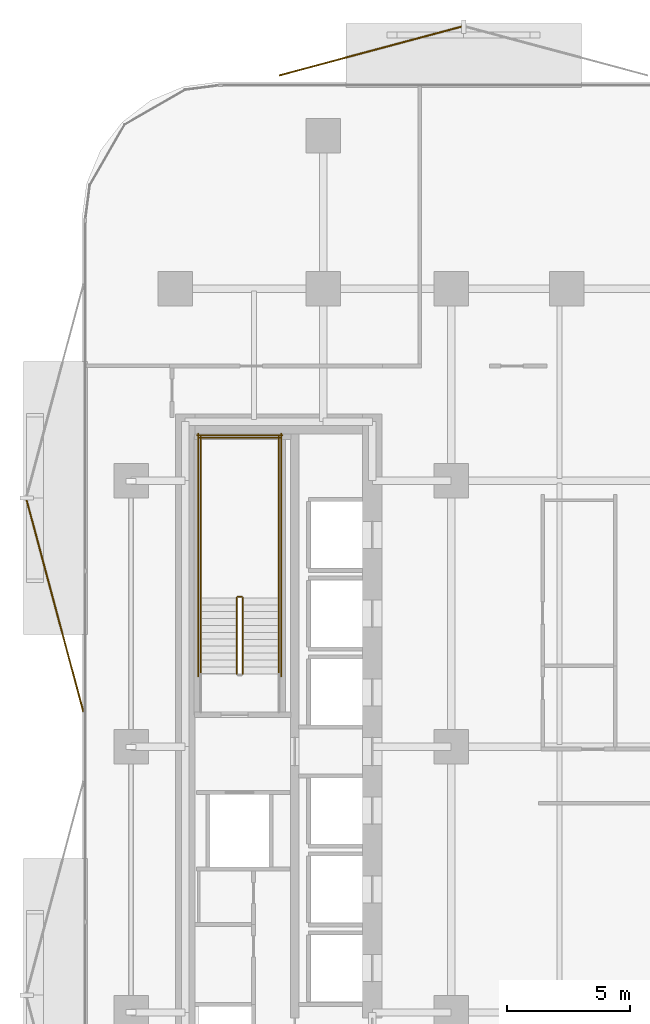
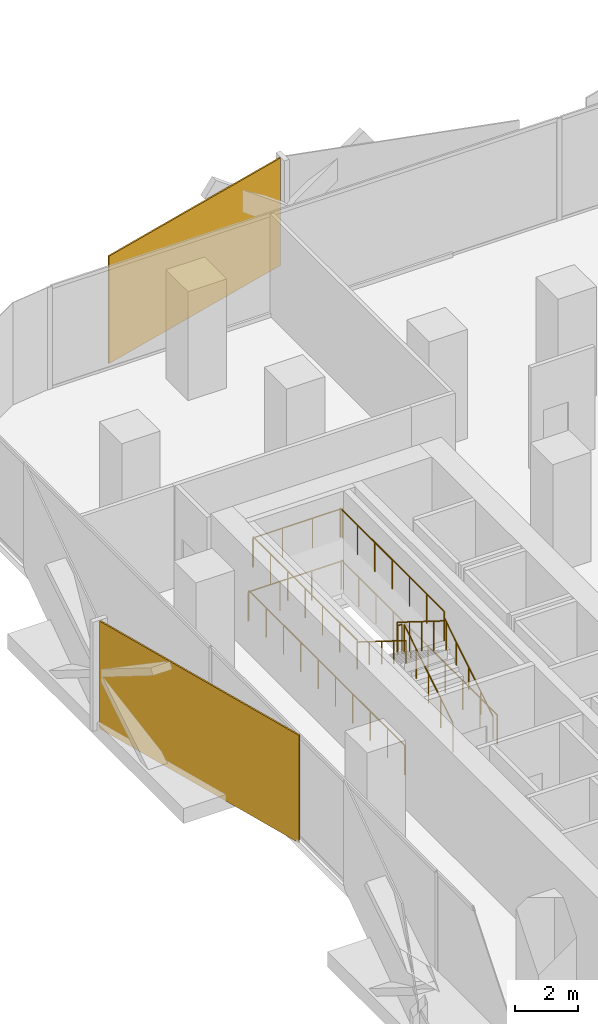
# One storey, part 15 of 16: 11 railings, 2 coverings.
"""IFC4 building model written with IfcOpenShell, lengths in metres."""

from ifc_helpers import new_model, si_unit, direction, frame, origin, origin_2d, place, context, subcontext, project, spatial, rectangle, circle, extrude, material, layer, layer_set, type_object, element, save


model = new_model("IFC4")

# Units and contexts
model_context = context("Model", 3, precision=1e-05, world=origin(), true_north=direction((0.0, 1.0)))
body_context = subcontext(model_context, "Body", "Model", "MODEL_VIEW")
ifc_project = project(units=[si_unit("LENGTHUNIT", "METRE"), si_unit("AREAUNIT", "SQUARE_METRE"), si_unit("VOLUMEUNIT", "CUBIC_METRE"), si_unit("PLANEANGLEUNIT", "RADIAN"), si_unit("MASSUNIT", "GRAM", prefix="KILO")], contexts=[model_context])

# Site, building, storey
site_placement = place(None, origin())
site = spatial("IfcSite", under=ifc_project, at=site_placement, CompositionType="ELEMENT")
building_placement = place(site_placement, origin())
building = spatial("IfcBuilding", under=site, at=building_placement, Name="Khairoan Windgate Tower", CompositionType="ELEMENT")
storey_placement = place(building_placement, frame((0.0, 0.0, 55.39990234375)))
storey = spatial("IfcBuildingStorey", under=building, at=storey_placement, Name="L13", CompositionType="ELEMENT", Elevation=55.39990234375)

# Coverings
ifc_material_1 = material(Name="Anodised Bronze Aluminium 6063-T6", Category="aluminium")
ifc_layer = layer(ifc_material_1, 0.054931640625, Name="Anodised Bronze Aluminium 6063-T6")
ifc_layer_set = layer_set([ifc_layer], Name="Anodised Bronze Aluminium 6063-T6")
covering_type = type_object("IfcCoveringType", Name="Perforated Bronze-Ceramic Folded Solar Screen Cladding BSC-1", PredefinedType="CLADDING", material=ifc_layer_set)
covering_1_placement = place(storey_placement, frame((-25.290283203125, 5.71484375, -0.099609375), z_axis=(0.0, 0.0, 1.0), x_axis=(-0.258819045103, 0.965925826289, 0.0)))
element("IfcCovering", 1, at=covering_1_placement, inside=storey, type_object=covering_type, Name="L13 Folded Bronze Solar Screen Facet 60L", PredefinedType="CLADDING", context=body_context, shape_type="SweptSolid", body=[
    extrude(rectangle(XDim=8.884033203125, YDim=0.054931640625, at=origin_2d()), origin(), (0.0, 0.0, 1.0), 4.139892578125),
])
covering_2_placement = place(storey_placement, frame((-12.48095703125, 28.249755859375, -0.099609375), z_axis=(0.0, 0.0, 1.0), x_axis=(0.965925826289, 0.258819045103, 0.0)))
element("IfcCovering", 2, at=covering_2_placement, inside=storey, type_object=covering_type, Name="L13 Folded Bronze Solar Screen Facet 61L", PredefinedType="CLADDING", context=body_context, shape_type="SweptSolid", body=[
    extrude(rectangle(XDim=7.652099609375, YDim=0.054931640625, at=origin_2d()), origin(), (0.0, 0.0, 1.0), 4.139892578125),
])

# Railings
ifc_material_2 = material(Name="Anodised Bronze Aluminium 6063-T6", Category="aluminium")
railing_type_1 = type_object("IfcRailingType", Name="Stair Wall Handrail SHR-900", PredefinedType="HANDRAIL", material=ifc_material_2)
railing_1_placement = place(storey_placement, frame((-16.199951171875, 2.9599609375, 0.175048828125)))
element("IfcRailing", 3, at=railing_1_placement, inside=storey, type_object=railing_type_1, Name="L13 ST2 stair handrail 1", PredefinedType="HANDRAIL", context=body_context, shape_type="SweptSolid", body=[
    extrude(circle(Radius=0.02392578125, at=origin_2d()), frame((0.0, 0.0, 0.8759765625), z_axis=(0.0, 0.847998304005, 0.529998940003), x_axis=(-1.0, 0.0, 0.0)), (0.0, 0.0, 1.0), 3.632080078125),
    extrude(circle(Radius=0.02099609375, at=origin_2d()), origin(), (0.0, 0.0, 1.0), 0.851806640625),
    extrude(circle(Radius=0.02099609375, at=origin_2d()), frame((0.0, 0.77001953125, 0.481201171875)), (0.0, 0.0, 1.0), 0.851806640625),
    extrude(circle(Radius=0.02099609375, at=origin_2d()), frame((0.0, 1.5400390625, 0.96240234375)), (0.0, 0.0, 1.0), 0.851806640625),
    extrude(circle(Radius=0.02099609375, at=origin_2d()), frame((0.0, 2.31005859375, 1.44384765625)), (0.0, 0.0, 1.0), 0.851806640625),
    extrude(circle(Radius=0.02099609375, at=origin_2d()), frame((0.0, 3.080078125, 1.925048828125)), (0.0, 0.0, 1.0), 0.851806640625),
])
railing_2_placement = place(storey_placement, frame((-19.3701171875, 6.0400390625, 2.275146484375)))
element("IfcRailing", 4, at=railing_2_placement, inside=storey, type_object=railing_type_1, Name="L13 ST2 stair handrail 2", PredefinedType="HANDRAIL", context=body_context, shape_type="SweptSolid", body=[
    extrude(circle(Radius=0.02392578125, at=origin_2d()), frame((0.0, 0.0, 0.8759765625), z_axis=(0.0, -0.847998304005, 0.529998940003), x_axis=(1.0, 0.0, 0.0)), (0.0, 0.0, 1.0), 3.632080078125),
    extrude(circle(Radius=0.02099609375, at=origin_2d()), origin(), (0.0, 0.0, 1.0), 0.851806640625),
    extrude(circle(Radius=0.02099609375, at=origin_2d()), frame((0.0, -0.77001953125, 0.481201171875)), (0.0, 0.0, 1.0), 0.851806640625),
    extrude(circle(Radius=0.02099609375, at=origin_2d()), frame((0.0, -1.5400390625, 0.96240234375)), (0.0, 0.0, 1.0), 0.851806640625),
    extrude(circle(Radius=0.02099609375, at=origin_2d()), frame((0.0, -2.31005859375, 1.44384765625)), (0.0, 0.0, 1.0), 0.851806640625),
    extrude(circle(Radius=0.02099609375, at=origin_2d()), frame((0.0, -3.080078125, 1.925048828125)), (0.0, 0.0, 1.0), 0.851806640625),
])
ifc_material_3 = material(Name="Steel S355", Category="steel")
railing_type_2 = type_object("IfcRailingType", Name="Stairwell Safety Guardrail SGR-1150", PredefinedType="GUARDRAIL", material=ifc_material_3)
railing_3_placement = place(storey_placement, frame((-17.659912109375, 2.9599609375, 0.175048828125)))
element("IfcRailing", 5, at=railing_3_placement, inside=storey, type_object=railing_type_2, Name="L13 ST2 stair guard 1", PredefinedType="GUARDRAIL", context=body_context, shape_type="SweptSolid", body=[
    extrude(circle(Radius=0.02392578125, at=origin_2d()), frame((0.0, 0.0, 1.1259765625), z_axis=(0.0, 0.847998304005, 0.529998940003), x_axis=(-1.0, 0.0, 0.0)), (0.0, 0.0, 1.0), 3.632080078125),
    extrude(circle(Radius=0.02099609375, at=origin_2d()), origin(), (0.0, 0.0, 1.0), 1.101806640625),
    extrude(circle(Radius=0.02099609375, at=origin_2d()), frame((0.0, 0.77001953125, 0.481201171875)), (0.0, 0.0, 1.0), 1.101806640625),
    extrude(circle(Radius=0.02099609375, at=origin_2d()), frame((0.0, 1.5400390625, 0.96240234375)), (0.0, 0.0, 1.0), 1.101806640625),
    extrude(circle(Radius=0.02099609375, at=origin_2d()), frame((0.0, 2.31005859375, 1.44384765625)), (0.0, 0.0, 1.0), 1.101806640625),
    extrude(circle(Radius=0.02099609375, at=origin_2d()), frame((0.0, 3.080078125, 1.925048828125)), (0.0, 0.0, 1.0), 1.101806640625),
])
railing_4_placement = place(storey_placement, frame((-17.7099609375, 6.090087890625, 2.10009765625)))
element("IfcRailing", 6, at=railing_4_placement, inside=storey, type_object=railing_type_2, Name="L13 ST2 stair guard 2", PredefinedType="GUARDRAIL", context=body_context, shape_type="SweptSolid", body=[
    extrude(circle(Radius=0.02392578125, at=origin_2d()), frame((0.0, 0.0, 1.1259765625), z_axis=(-1.0, 0.0, 0.0), x_axis=(0.0, -1.0, 0.0)), (0.0, 0.0, 1.0), 0.150146484375),
    extrude(circle(Radius=0.02099609375, at=origin_2d()), origin(), (0.0, 0.0, 1.0), 1.101806640625),
    extrude(circle(Radius=0.02099609375, at=origin_2d()), frame((-0.150146484375, 0.0, 0.0)), (0.0, 0.0, 1.0), 1.101806640625),
])
for number, where, name in (
    (7, (-16.199951171875, 6.0400390625, 2.10009765625), "L13 ST2 stair guard 3"),
    (8, (-19.3701171875, 6.0400390625, 2.10009765625), "L13 ST2 stair guard 4"),
):
    element("IfcRailing", number, at=place(storey_placement, frame(where)), inside=storey, type_object=railing_type_2, Name=name, PredefinedType="GUARDRAIL", context=body_context, shape_type="SweptSolid", body=[
        extrude(circle(Radius=0.02392578125, at=origin_2d()), frame((0.0, 0.0, 1.1259765625), z_axis=(0.0, 1.0, 0.0), x_axis=(-1.0, 0.0, 0.0)), (0.0, 0.0, 1.0), 6.56005859375),
        extrude(circle(Radius=0.02099609375, at=origin_2d()), origin(), (0.0, 0.0, 1.0), 1.101806640625),
        extrude(circle(Radius=0.02099609375, at=origin_2d()), frame((0.0, 1.09326171875, 0.0)), (0.0, 0.0, 1.0), 1.101806640625),
        extrude(circle(Radius=0.02099609375, at=origin_2d()), frame((0.0, 2.186767578125, 0.0)), (0.0, 0.0, 1.0), 1.101806640625),
        extrude(circle(Radius=0.02099609375, at=origin_2d()), frame((0.0, 3.280029296875, 0.0)), (0.0, 0.0, 1.0), 1.101806640625),
        extrude(circle(Radius=0.02099609375, at=origin_2d()), frame((0.0, 4.373291015625, 0.0)), (0.0, 0.0, 1.0), 1.101806640625),
        extrude(circle(Radius=0.02099609375, at=origin_2d()), frame((0.0, 5.466796875, 0.0)), (0.0, 0.0, 1.0), 1.101806640625),
        extrude(circle(Radius=0.02099609375, at=origin_2d()), frame((0.0, 6.56005859375, 0.0)), (0.0, 0.0, 1.0), 1.101806640625),
    ])
railing_5_placement = place(storey_placement, frame((-16.14990234375, 12.550048828125, 2.10009765625)))
element("IfcRailing", 9, at=railing_5_placement, inside=storey, type_object=railing_type_2, Name="L13 ST2 stair guard 5", PredefinedType="GUARDRAIL", context=body_context, shape_type="SweptSolid", body=[
    extrude(circle(Radius=0.02392578125, at=origin_2d()), frame((0.0, 0.0, 1.1259765625), z_axis=(-1.0, 0.0, 0.0), x_axis=(0.0, -1.0, 0.0)), (0.0, 0.0, 1.0), 3.27001953125),
    extrude(circle(Radius=0.02099609375, at=origin_2d()), origin(), (0.0, 0.0, 1.0), 1.101806640625),
    extrude(circle(Radius=0.02099609375, at=origin_2d()), frame((-1.090087890625, 0.0, 0.0)), (0.0, 0.0, 1.0), 1.101806640625),
    extrude(circle(Radius=0.02099609375, at=origin_2d()), frame((-2.179931640625, 0.0, 0.0)), (0.0, 0.0, 1.0), 1.101806640625),
    extrude(circle(Radius=0.02099609375, at=origin_2d()), frame((-3.27001953125, 0.0, 0.0)), (0.0, 0.0, 1.0), 1.101806640625),
])
railing_6_placement = place(storey_placement, frame((-17.909912109375, 6.0400390625, 2.275146484375)))
element("IfcRailing", 10, at=railing_6_placement, inside=storey, type_object=railing_type_2, Name="L13 ST2 stair guard 6", PredefinedType="GUARDRAIL", context=body_context, shape_type="SweptSolid", body=[
    extrude(circle(Radius=0.02392578125, at=origin_2d()), frame((0.0, 0.0, 1.1259765625), z_axis=(0.0, -0.847998304005, 0.529998940003), x_axis=(1.0, 0.0, 0.0)), (0.0, 0.0, 1.0), 3.632080078125),
    extrude(circle(Radius=0.02099609375, at=origin_2d()), origin(), (0.0, 0.0, 1.0), 1.101806640625),
    extrude(circle(Radius=0.02099609375, at=origin_2d()), frame((0.0, -0.77001953125, 0.481201171875)), (0.0, 0.0, 1.0), 1.101806640625),
    extrude(circle(Radius=0.02099609375, at=origin_2d()), frame((0.0, -1.5400390625, 0.96240234375)), (0.0, 0.0, 1.0), 1.101806640625),
    extrude(circle(Radius=0.02099609375, at=origin_2d()), frame((0.0, -2.31005859375, 1.44384765625)), (0.0, 0.0, 1.0), 1.101806640625),
    extrude(circle(Radius=0.02099609375, at=origin_2d()), frame((0.0, -3.080078125, 1.925048828125)), (0.0, 0.0, 1.0), 1.101806640625),
])
for number, where, name in (
    (11, (-16.10009765625, 2.860107421875, 0.0), "L13 ST2 stair guard 10"),
    (12, (-19.469970703125, 2.860107421875, 0.0), "L13 ST2 stair guard 11"),
):
    element("IfcRailing", number, at=place(storey_placement, frame(where)), inside=storey, type_object=railing_type_2, Name=name, PredefinedType="GUARDRAIL", context=body_context, shape_type="SweptSolid", body=[
        extrude(circle(Radius=0.02392578125, at=origin_2d()), frame((0.0, 0.0, 1.1259765625), z_axis=(0.0, 1.0, 0.0), x_axis=(-1.0, 0.0, 0.0)), (0.0, 0.0, 1.0), 9.83984375),
        extrude(circle(Radius=0.02099609375, at=origin_2d()), origin(), (0.0, 0.0, 1.0), 1.101806640625),
        extrude(circle(Radius=0.02099609375, at=origin_2d()), frame((0.0, 1.09326171875, 0.0)), (0.0, 0.0, 1.0), 1.101806640625),
        extrude(circle(Radius=0.02099609375, at=origin_2d()), frame((0.0, 2.1865234375, 0.0)), (0.0, 0.0, 1.0), 1.101806640625),
        extrude(circle(Radius=0.02099609375, at=origin_2d()), frame((0.0, 3.280029296875, 0.0)), (0.0, 0.0, 1.0), 1.101806640625),
        extrude(circle(Radius=0.02099609375, at=origin_2d()), frame((0.0, 4.373291015625, 0.0)), (0.0, 0.0, 1.0), 1.101806640625),
        extrude(circle(Radius=0.02099609375, at=origin_2d()), frame((0.0, 5.466552734375, 0.0)), (0.0, 0.0, 1.0), 1.101806640625),
        extrude(circle(Radius=0.02099609375, at=origin_2d()), frame((0.0, 6.559814453125, 0.0)), (0.0, 0.0, 1.0), 1.101806640625),
        extrude(circle(Radius=0.02099609375, at=origin_2d()), frame((0.0, 7.6533203125, 0.0)), (0.0, 0.0, 1.0), 1.101806640625),
        extrude(circle(Radius=0.02099609375, at=origin_2d()), frame((0.0, 8.74658203125, 0.0)), (0.0, 0.0, 1.0), 1.101806640625),
        extrude(circle(Radius=0.02099609375, at=origin_2d()), frame((0.0, 9.83984375, 0.0)), (0.0, 0.0, 1.0), 1.101806640625),
    ])
railing_7_placement = place(storey_placement, frame((-16.050048828125, 12.64990234375, 0.0)))
element("IfcRailing", 13, at=railing_7_placement, inside=storey, type_object=railing_type_2, Name="L13 ST2 stair guard 12", PredefinedType="GUARDRAIL", context=body_context, shape_type="SweptSolid", body=[
    extrude(circle(Radius=0.02392578125, at=origin_2d()), frame((0.0, 0.0, 1.1259765625), z_axis=(-1.0, 0.0, 0.0), x_axis=(0.0, -1.0, 0.0)), (0.0, 0.0, 1.0), 3.469970703125),
    extrude(circle(Radius=0.02099609375, at=origin_2d()), origin(), (0.0, 0.0, 1.0), 1.101806640625),
    extrude(circle(Radius=0.02099609375, at=origin_2d()), frame((-1.15673828125, 0.0, 0.0)), (0.0, 0.0, 1.0), 1.101806640625),
    extrude(circle(Radius=0.02099609375, at=origin_2d()), frame((-2.313232421875, 0.0, 0.0)), (0.0, 0.0, 1.0), 1.101806640625),
    extrude(circle(Radius=0.02099609375, at=origin_2d()), frame((-3.469970703125, 0.0, 0.0)), (0.0, 0.0, 1.0), 1.101806640625),
])

save(model, "model.ifc")
